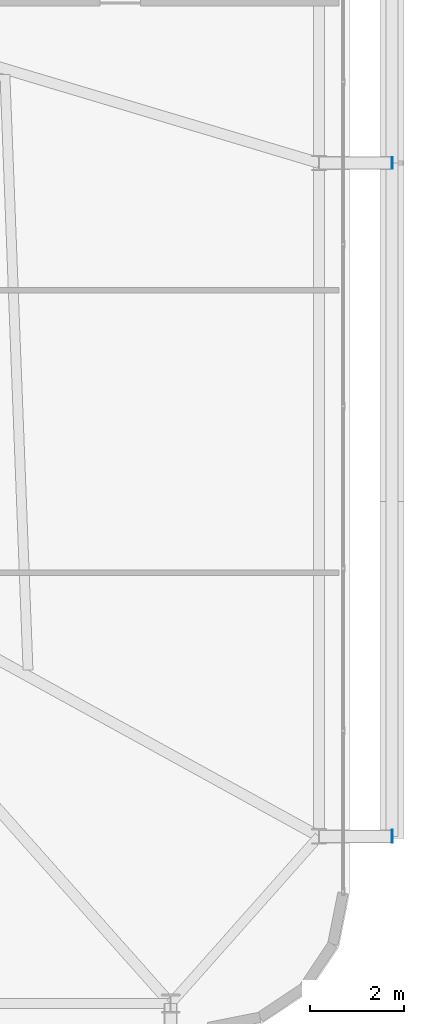
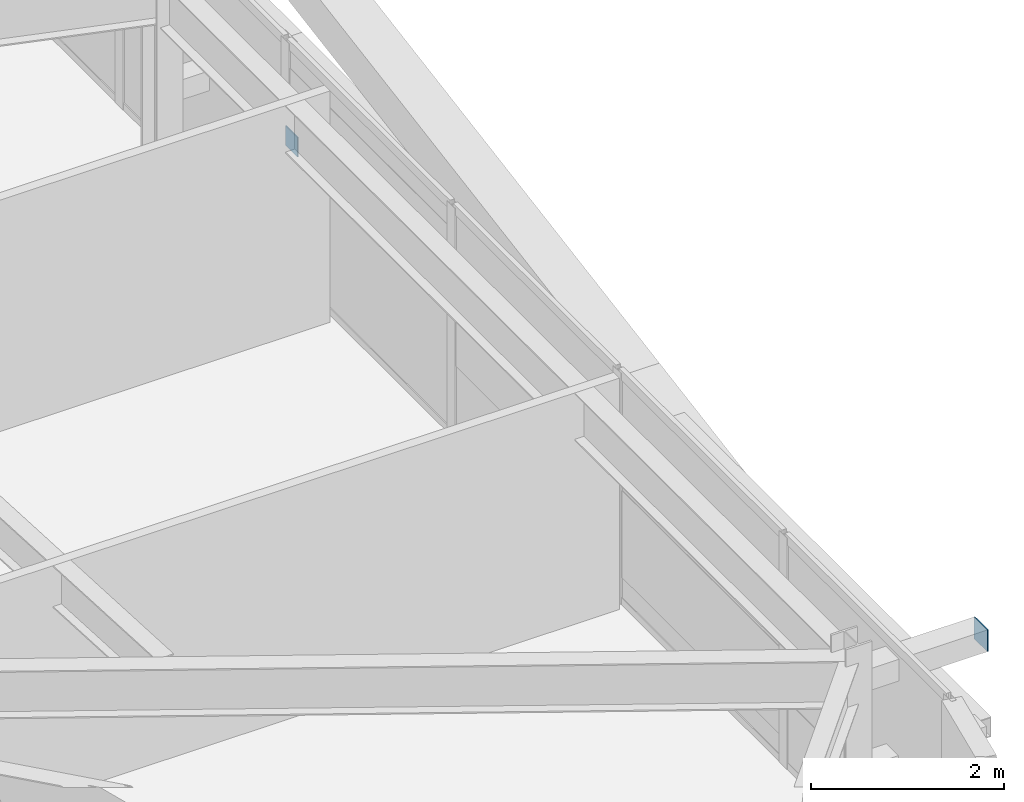
# One storey, part 48 of 59: 2 plates.
"""IFC4 building model written with IfcOpenShell, lengths in metres."""

from ifc_helpers import new_model, si_unit, direction, frame, origin, origin_2d, place, context, subcontext, project, spatial, rectangle, extrude, source, transform, mapped, material, layer, layer_set, type_object, element, save


model = new_model("IFC4")

# Units and contexts
model_context = context("Model", 3, precision=1e-05, world=origin(), true_north=direction((0.0, 1.0)))
body_context = subcontext(model_context, "Body", "Model", "MODEL_VIEW")
ifc_project = project(units=[si_unit("LENGTHUNIT", "METRE"), si_unit("AREAUNIT", "SQUARE_METRE"), si_unit("VOLUMEUNIT", "CUBIC_METRE"), si_unit("PLANEANGLEUNIT", "RADIAN"), si_unit("MASSUNIT", "GRAM", prefix="KILO")], contexts=[model_context])

# Site, building, storey
site_placement = place(None, origin())
site = spatial("IfcSite", under=ifc_project, at=site_placement, CompositionType="ELEMENT")
building_placement = place(site_placement, origin())
building = spatial("IfcBuilding", under=site, at=building_placement, Name="Taldren Reach Tower", CompositionType="ELEMENT")
storey_placement = place(building_placement, frame((0.0, 0.0, 29.39990234375)))
storey = spatial("IfcBuildingStorey", under=building, at=storey_placement, Name="L08", CompositionType="ELEMENT", Elevation=29.39990234375)

# Plates
ifc_material_1 = material(Name="Steel Gr 450 (C450L0)", Category="steel")
ifc_layer_1 = layer(ifc_material_1, 0.011962890625)
ifc_layer_set_1 = layer_set([ifc_layer_1], Name="Steel Gr 450 (C450L0)")
plate_type_1 = type_object("IfcPlateType", Name="PL-CAP-275", PredefinedType="SHEET", material=ifc_layer_set_1)
shared_shape_1 = source(origin(), body_context, "Body", "SweptSolid", [
    extrude(rectangle(XDim=0.011962890625, YDim=0.27490234375, at=origin_2d()), origin(), (0.0, 0.0, 1.0), 0.27490234375),
])
plate_1_placement = place(storey_placement, frame((65.906005859375, 5.699951171875, 2.5126953125), z_axis=(0.0, 0.0, 1.0), x_axis=(1.0, 0.0, 0.0)))
element("IfcPlate", 1, at=plate_1_placement, inside=storey, type_object=plate_type_1, Name="Tie strut end cap plate B1-E1 L08", PredefinedType="SHEET", context=body_context, shape_type="MappedRepresentation", body=[
    mapped(shared_shape_1, transform((0.0, 0.0, 0.0), scale=1.0)),
])
ifc_material_2 = material(Name="Steel Gr 350 (C350L0)", Category="steel")
ifc_layer_2 = layer(ifc_material_2, 0.011962890625)
ifc_layer_set_2 = layer_set([ifc_layer_2], Name="Steel Gr 350 (C350L0)")
plate_type_2 = type_object("IfcPlateType", Name="PL-CAP-250", PredefinedType="SHEET", material=ifc_layer_set_2)
shared_shape_2 = source(origin(), body_context, "Body", "SweptSolid", [
    extrude(rectangle(XDim=0.011962890625, YDim=0.25, at=origin_2d()), origin(), (0.0, 0.0, 1.0), 0.25),
])
plate_2_placement = place(storey_placement, frame((65.906005859375, 20.0, 0.09521484375), z_axis=(0.0, 0.0, 1.0), x_axis=(1.0, 0.0, 0.0)))
element("IfcPlate", 2, at=plate_2_placement, inside=storey, type_object=plate_type_2, Name="Tie strut end cap plate B1-E2 L08", PredefinedType="SHEET", context=body_context, shape_type="MappedRepresentation", body=[
    mapped(shared_shape_2, transform((0.0, 0.0, 0.0), scale=1.0)),
])

save(model, "model.ifc")
